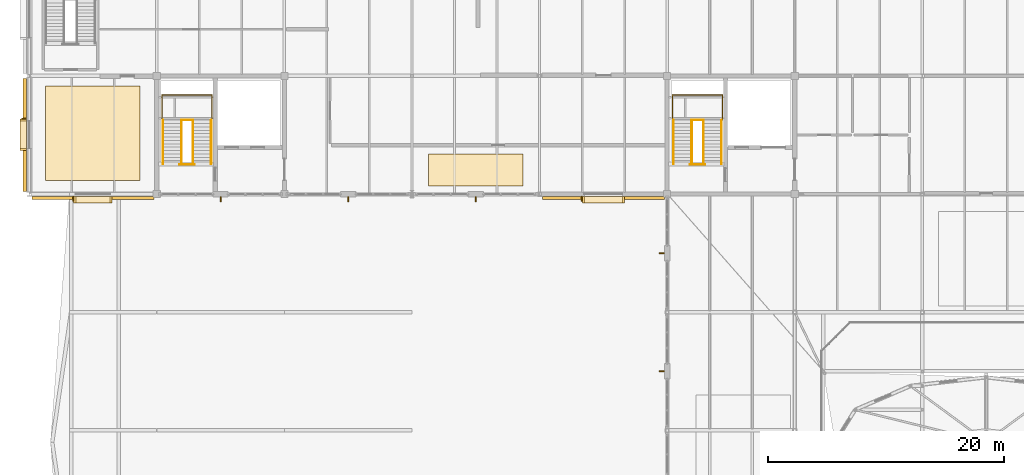
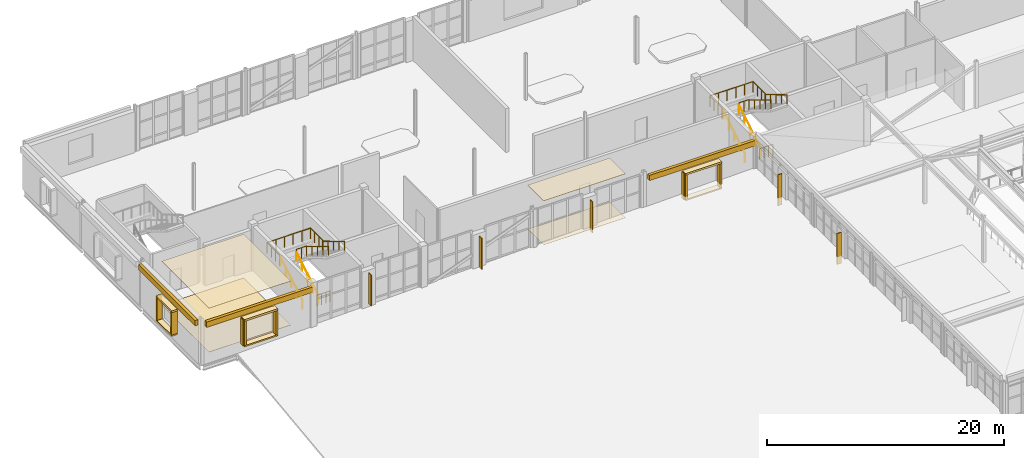
# One storey, part 80 of 86: 19 coverings, 14 railings, 8 shading devices.
"""IFC4 building model written with IfcOpenShell, lengths in metres."""

from ifc_helpers import new_model, si_unit, direction, frame, origin, origin_2d, place, context, subcontext, project, spatial, rectangle, circle, extrude, material, layer, layer_set, type_object, element, save


model = new_model("IFC4")

# Units and contexts
model_context = context("Model", 3, precision=1e-05, world=origin(), true_north=direction((0.0, 1.0)))
body_context = subcontext(model_context, "Body", "Model", "MODEL_VIEW")
ifc_project = project(units=[si_unit("LENGTHUNIT", "METRE"), si_unit("AREAUNIT", "SQUARE_METRE"), si_unit("VOLUMEUNIT", "CUBIC_METRE"), si_unit("PLANEANGLEUNIT", "RADIAN"), si_unit("MASSUNIT", "GRAM", prefix="KILO")], contexts=[model_context])

# Site, building, storey
site_placement = place(None, origin())
site = spatial("IfcSite", under=ifc_project, at=site_placement, CompositionType="ELEMENT")
building_placement = place(site_placement, origin())
building = spatial("IfcBuilding", under=site, at=building_placement, Name="Tasgan Crest Museum", CompositionType="ELEMENT")
storey_placement = place(building_placement, frame((0.0, 0.0, 24.0)))
storey = spatial("IfcBuildingStorey", under=building, at=storey_placement, Name="L04", CompositionType="ELEMENT", Elevation=24.0)

# Coverings
ifc_material_1 = material(Name="Perforated Gypsum Acoustic Ceiling")
ifc_layer_1 = layer(ifc_material_1, 0.034912109375, Name="COV-CEIL-ACOUST")
ifc_layer_set_1 = layer_set([ifc_layer_1], Name="Perforated Gypsum Acoustic Ceiling")
covering_type_1 = type_object("IfcCoveringType", Name="COV-CEIL-ACOUST", PredefinedType="CEILING", material=ifc_layer_set_1)
covering_1_placement = place(storey_placement, frame((5.39990234375, 87.14990234375, 4.52490234375), z_axis=(0.0, 0.0, 1.0), x_axis=(1.0, 0.0, 0.0)))
element("IfcCovering", 1, at=covering_1_placement, inside=storey, type_object=covering_type_1, Name="Khangai Mineralogy Exhibition Gallery acoustic ceiling", PredefinedType="CEILING", context=body_context, shape_type="SweptSolid", body=[
    extrude(rectangle(XDim=8.0, YDim=8.0, at=origin_2d()), origin(), (0.0, 0.0, 1.0), 0.034912109375),
])
covering_2_placement = place(storey_placement, frame((37.800048828125, 84.050048828125, 4.52490234375), z_axis=(0.0, 0.0, 1.0), x_axis=(1.0, 0.0, 0.0)))
element("IfcCovering", 2, at=covering_2_placement, inside=storey, type_object=covering_type_1, Name="Fourth Floor Gallery Spine Corridor acoustic ceiling", PredefinedType="CEILING", context=body_context, shape_type="SweptSolid", body=[
    extrude(rectangle(XDim=8.0, YDim=2.699951171875, at=origin_2d()), origin(), (0.0, 0.0, 1.0), 0.034912109375),
])
ifc_material_2 = material(Name="Engineered Steppe Oak Parquet")
ifc_layer_2 = layer(ifc_material_2, 0.02490234375, Name="COV-FLOOR-OAK")
ifc_layer_set_2 = layer_set([ifc_layer_2], Name="Engineered Steppe Oak Parquet")
covering_type_2 = type_object("IfcCoveringType", Name="COV-FLOOR-OAK", PredefinedType="FLOORING", material=ifc_layer_set_2)
covering_3_placement = place(storey_placement, frame((5.39990234375, 87.14990234375, 0.0), z_axis=(0.0, 0.0, 1.0), x_axis=(1.0, 0.0, 0.0)))
element("IfcCovering", 3, at=covering_3_placement, inside=storey, type_object=covering_type_2, Name="Khangai Mineralogy Exhibition Gallery floor finish", PredefinedType="FLOORING", context=body_context, shape_type="SweptSolid", body=[
    extrude(rectangle(XDim=8.0, YDim=8.0, at=origin_2d()), origin(), (0.0, 0.0, 1.0), 0.02490234375),
])
covering_4_placement = place(storey_placement, frame((37.800048828125, 84.050048828125, 0.0), z_axis=(0.0, 0.0, 1.0), x_axis=(1.0, 0.0, 0.0)))
element("IfcCovering", 4, at=covering_4_placement, inside=storey, type_object=covering_type_2, Name="Fourth Floor Gallery Spine Corridor floor finish", PredefinedType="FLOORING", context=body_context, shape_type="SweptSolid", body=[
    extrude(rectangle(XDim=8.0, YDim=2.699951171875, at=origin_2d()), origin(), (0.0, 0.0, 1.0), 0.02490234375),
])
ifc_material_3 = material(Name="Honed Rose-Red Mongolian Granite", Category="masonry")
ifc_layer_3 = layer(ifc_material_3, 0.0400390625, Name="COV-GRANITE-ROSE")
ifc_layer_set_3 = layer_set([ifc_layer_3], Name="Honed Rose-Red Mongolian Granite")
covering_type_3 = type_object("IfcCoveringType", Name="COV-GRANITE-ROSE", PredefinedType="CLADDING", material=ifc_layer_set_3)
for number, where, z_axis, x_axis, name in (
    (5, (-0.5, 88.259521484375, 1.0), (0.0, 0.0, 1.0), (0.0, -1.0, 0.0), "Deep window reveal jamb L04-065"),
    (6, (-0.5, 85.779541015625, 1.0), (0.0, 0.0, 1.0), (0.0, -1.0, 0.0), "Deep window reveal jamb L04-065"),
):
    element("IfcCovering", number, at=place(storey_placement, frame(where, z_axis=z_axis, x_axis=x_axis)), inside=storey, type_object=covering_type_3, Name=name, PredefinedType="CLADDING", context=body_context, shape_type="SweptSolid", body=[
        extrude(rectangle(XDim=0.179931640625, YDim=0.550048828125, at=origin_2d()), origin(), (0.0, 0.0, 1.0), 2.300048828125),
    ])
for number, where, z_axis, x_axis, name in (
    (7, (3.860107421875, 81.534912109375, 1.0), (0.0, 0.0, 1.0), (1.0, 0.0, 0.0), "Deep window reveal jamb L04-066"),
    (8, (6.93994140625, 81.534912109375, 1.0), (0.0, 0.0, 1.0), (1.0, 0.0, 0.0), "Deep window reveal jamb L04-066"),
    (9, (46.909912109375, 81.534912109375, 1.0), (0.0, 0.0, 1.0), (1.0, 0.0, 0.0), "Deep window reveal jamb L04-067"),
    (10, (50.2900390625, 81.534912109375, 1.0), (0.0, 0.0, 1.0), (1.0, 0.0, 0.0), "Deep window reveal jamb L04-067"),
):
    element("IfcCovering", number, at=place(storey_placement, frame(where, z_axis=z_axis, x_axis=x_axis)), inside=storey, type_object=covering_type_3, Name=name, PredefinedType="CLADDING", context=body_context, shape_type="SweptSolid", body=[
        extrude(rectangle(XDim=0.179931640625, YDim=0.550048828125, at=origin_2d()), origin(), (0.0, 0.0, 1.0), 2.5),
    ])
ifc_material_4 = material(Name="Honed Buff Limestone", Category="masonry")
ifc_layer_4 = layer(ifc_material_4, 0.044921875, Name="COV-LIMESTONE-BUFF")
ifc_layer_set_4 = layer_set([ifc_layer_4], Name="Honed Buff Limestone")
covering_type_4 = type_object("IfcCoveringType", Name="COV-LIMESTONE-BUFF", PredefinedType="CLADDING", material=ifc_layer_set_4)
covering_5_placement = place(storey_placement, frame((-0.364990234375, 87.0, 3.9599609375), z_axis=(0.0, 0.0, 1.0), x_axis=(0.0, -1.0, 0.0)))
element("IfcCovering", 11, at=covering_5_placement, inside=storey, type_object=covering_type_4, Name="Stone frieze cladding L04", PredefinedType="CLADDING", context=body_context, shape_type="SweptSolid", body=[
    extrude(rectangle(XDim=9.549072265625, YDim=0.280029296875, at=origin_2d()), origin(), (0.0, 0.0, 1.0), 0.550048828125),
])
covering_6_placement = place(storey_placement, frame((-0.5, 87.01953125, 3.2998046875), z_axis=(0.0, 0.0, 1.0), x_axis=(0.0, -1.0, 0.0)))
element("IfcCovering", 12, at=covering_6_placement, inside=storey, type_object=covering_type_4, Name="Deep window hood L04-065", PredefinedType="CLADDING", context=body_context, shape_type="SweptSolid", body=[
    extrude(rectangle(XDim=2.659912109375, YDim=0.550048828125, at=origin_2d()), origin(), (0.0, 0.0, 1.0), 0.179931640625),
])
covering_7_placement = place(storey_placement, frame((-0.5, 87.01953125, 0.85986328125), z_axis=(0.0, 0.0, 1.0), x_axis=(0.0, -1.0, 0.0)))
element("IfcCovering", 13, at=covering_7_placement, inside=storey, type_object=covering_type_4, Name="Deep window sill L04-065", PredefinedType="CLADDING", context=body_context, shape_type="SweptSolid", body=[
    extrude(rectangle(XDim=2.659912109375, YDim=0.550048828125, at=origin_2d()), origin(), (0.0, 0.0, 1.0), 0.139892578125),
])
covering_8_placement = place(storey_placement, frame((5.39990234375, 81.669921875, 3.9599609375), z_axis=(0.0, 0.0, 1.0), x_axis=(1.0, 0.0, 0.0)))
element("IfcCovering", 14, at=covering_8_placement, inside=storey, type_object=covering_type_4, Name="Stone frieze cladding L04", PredefinedType="CLADDING", context=body_context, shape_type="SweptSolid", body=[
    extrude(rectangle(XDim=10.31005859375, YDim=0.280029296875, at=origin_2d()), origin(), (0.0, 0.0, 1.0), 0.550048828125),
])
covering_9_placement = place(storey_placement, frame((5.39990234375, 81.534912109375, 3.5), z_axis=(0.0, 0.0, 1.0), x_axis=(1.0, 0.0, 0.0)))
element("IfcCovering", 15, at=covering_9_placement, inside=storey, type_object=covering_type_4, Name="Deep window hood L04-066", PredefinedType="CLADDING", context=body_context, shape_type="SweptSolid", body=[
    extrude(rectangle(XDim=3.260009765625, YDim=0.550048828125, at=origin_2d()), origin(), (0.0, 0.0, 1.0), 0.179931640625),
])
covering_10_placement = place(storey_placement, frame((5.39990234375, 81.534912109375, 0.85986328125), z_axis=(0.0, 0.0, 1.0), x_axis=(1.0, 0.0, 0.0)))
element("IfcCovering", 16, at=covering_10_placement, inside=storey, type_object=covering_type_4, Name="Deep window sill L04-066", PredefinedType="CLADDING", context=body_context, shape_type="SweptSolid", body=[
    extrude(rectangle(XDim=3.260009765625, YDim=0.550048828125, at=origin_2d()), origin(), (0.0, 0.0, 1.0), 0.139892578125),
])
covering_11_placement = place(storey_placement, frame((48.60009765625, 81.669921875, 3.9599609375), z_axis=(0.0, 0.0, 1.0), x_axis=(1.0, 0.0, 0.0)))
element("IfcCovering", 17, at=covering_11_placement, inside=storey, type_object=covering_type_4, Name="Stone frieze cladding L04", PredefinedType="CLADDING", context=body_context, shape_type="SweptSolid", body=[
    extrude(rectangle(XDim=10.31005859375, YDim=0.280029296875, at=origin_2d()), origin(), (0.0, 0.0, 1.0), 0.550048828125),
])
covering_12_placement = place(storey_placement, frame((48.60009765625, 81.534912109375, 3.5), z_axis=(0.0, 0.0, 1.0), x_axis=(1.0, 0.0, 0.0)))
element("IfcCovering", 18, at=covering_12_placement, inside=storey, type_object=covering_type_4, Name="Deep window hood L04-067", PredefinedType="CLADDING", context=body_context, shape_type="SweptSolid", body=[
    extrude(rectangle(XDim=3.56005859375, YDim=0.550048828125, at=origin_2d()), origin(), (0.0, 0.0, 1.0), 0.179931640625),
])
covering_13_placement = place(storey_placement, frame((48.60009765625, 81.534912109375, 0.85986328125), z_axis=(0.0, 0.0, 1.0), x_axis=(1.0, 0.0, 0.0)))
element("IfcCovering", 19, at=covering_13_placement, inside=storey, type_object=covering_type_4, Name="Deep window sill L04-067", PredefinedType="CLADDING", context=body_context, shape_type="SweptSolid", body=[
    extrude(rectangle(XDim=3.56005859375, YDim=0.550048828125, at=origin_2d()), origin(), (0.0, 0.0, 1.0), 0.139892578125),
])

# Railings
ifc_material_5 = material(Name="Brushed Bronze and Toughened Glass", Category="glass")
railing_type_1 = type_object("IfcRailingType", Name="RL-INT-GUARD-1120", PredefinedType="GUARDRAIL", material=ifc_material_5)
railing_1_placement = place(storey_placement, frame((12.739990234375, 84.52001953125, 0.0)))
element("IfcRailing", 20, at=railing_1_placement, inside=storey, type_object=railing_type_1, Name="North-West Gallery Core floor slot guard L04", PredefinedType="GUARDRAIL", context=body_context, shape_type="SweptSolid", body=[
    extrude(circle(Radius=0.02392578125, at=origin_2d()), frame((0.0, 0.0, 1.09619140625), z_axis=(1.0, 0.0, 0.0), x_axis=(0.0, 1.0, 0.0)), (0.0, 0.0, 1.0), 1.27001953125),
    extrude(circle(Radius=0.02099609375, at=origin_2d()), origin(), (0.0, 0.0, 1.0), 1.072021484375),
    extrude(circle(Radius=0.02099609375, at=origin_2d()), frame((0.42333984375, 0.0, 0.0)), (0.0, 0.0, 1.0), 1.072021484375),
    extrude(circle(Radius=0.02099609375, at=origin_2d()), frame((0.8466796875, 0.0, 0.0)), (0.0, 0.0, 1.0), 1.072021484375),
    extrude(circle(Radius=0.02099609375, at=origin_2d()), frame((1.27001953125, 0.0, 0.0)), (0.0, 0.0, 1.0), 1.072021484375),
])
railing_2_placement = place(storey_placement, frame((12.8798828125, 88.27490234375, 2.39990234375)))
element("IfcRailing", 21, at=railing_2_placement, inside=storey, type_object=railing_type_1, Name="Stair half-landing well guard ST-NW-L04 T1", PredefinedType="GUARDRAIL", context=body_context, shape_type="SweptSolid", body=[
    extrude(circle(Radius=0.02392578125, at=origin_2d()), frame((0.0, 0.0, 1.09619140625), z_axis=(1.0, 0.0, 0.0), x_axis=(0.0, 1.0, 0.0)), (0.0, 0.0, 1.0), 0.990234375),
    extrude(circle(Radius=0.02099609375, at=origin_2d()), origin(), (0.0, 0.0, 1.0), 1.072021484375),
    extrude(circle(Radius=0.02099609375, at=origin_2d()), frame((0.4951171875, 0.0, 0.0)), (0.0, 0.0, 1.0), 1.072021484375),
    extrude(circle(Radius=0.02099609375, at=origin_2d()), frame((0.990234375, 0.0, 0.0)), (0.0, 0.0, 1.0), 1.072021484375),
])
railing_3_placement = place(storey_placement, frame((11.260009765625, 88.294921875, 2.39990234375)))
element("IfcRailing", 22, at=railing_3_placement, inside=storey, type_object=railing_type_1, Name="Stair half-landing perimeter guard ST-NW-L04 T1", PredefinedType="GUARDRAIL", context=body_context, shape_type="SweptSolid", body=[
    extrude(circle(Radius=0.02392578125, at=origin_2d()), frame((0.0, 0.0, 1.09619140625), z_axis=(0.0, 1.0, 0.0), x_axis=(-1.0, 0.0, 0.0)), (0.0, 0.0, 1.0), 2.10009765625),
    extrude(circle(Radius=0.02392578125, at=origin_2d()), frame((0.0, 2.10009765625, 1.09619140625), z_axis=(1.0, 0.0, 0.0), x_axis=(0.0, 1.0, 0.0)), (0.0, 0.0, 1.0), 4.22998046875),
    extrude(circle(Radius=0.02392578125, at=origin_2d()), frame((4.22998046875, 2.10009765625, 1.09619140625), z_axis=(0.0, -1.0, 0.0), x_axis=(1.0, 0.0, 0.0)), (0.0, 0.0, 1.0), 2.10009765625),
    extrude(circle(Radius=0.02099609375, at=origin_2d()), origin(), (0.0, 0.0, 1.0), 1.072021484375),
    extrude(circle(Radius=0.02099609375, at=origin_2d()), frame((0.0, 0.699951171875, 0.0)), (0.0, 0.0, 1.0), 1.072021484375),
    extrude(circle(Radius=0.02099609375, at=origin_2d()), frame((0.0, 1.400146484375, 0.0)), (0.0, 0.0, 1.0), 1.072021484375),
    extrude(circle(Radius=0.02099609375, at=origin_2d()), frame((0.0, 2.10009765625, 0.0)), (0.0, 0.0, 1.0), 1.072021484375),
    extrude(circle(Radius=0.02099609375, at=origin_2d()), frame((0.845947265625, 2.10009765625, 0.0)), (0.0, 0.0, 1.0), 1.072021484375),
    extrude(circle(Radius=0.02099609375, at=origin_2d()), frame((1.69189453125, 2.10009765625, 0.0)), (0.0, 0.0, 1.0), 1.072021484375),
    extrude(circle(Radius=0.02099609375, at=origin_2d()), frame((2.5380859375, 2.10009765625, 0.0)), (0.0, 0.0, 1.0), 1.072021484375),
    extrude(circle(Radius=0.02099609375, at=origin_2d()), frame((3.384033203125, 2.10009765625, 0.0)), (0.0, 0.0, 1.0), 1.072021484375),
    extrude(circle(Radius=0.02099609375, at=origin_2d()), frame((4.22998046875, 2.10009765625, 0.0)), (0.0, 0.0, 1.0), 1.072021484375),
    extrude(circle(Radius=0.02099609375, at=origin_2d()), frame((4.22998046875, 1.400146484375, 0.0)), (0.0, 0.0, 1.0), 1.072021484375),
    extrude(circle(Radius=0.02099609375, at=origin_2d()), frame((4.22998046875, 0.699951171875, 0.0)), (0.0, 0.0, 1.0), 1.072021484375),
    extrude(circle(Radius=0.02099609375, at=origin_2d()), frame((4.22998046875, 0.0, 0.0)), (0.0, 0.0, 1.0), 1.072021484375),
])
railing_4_placement = place(storey_placement, frame((55.93994140625, 84.52001953125, 0.0)))
element("IfcRailing", 23, at=railing_4_placement, inside=storey, type_object=railing_type_1, Name="North-Central Sawtooth Core floor slot guard L04", PredefinedType="GUARDRAIL", context=body_context, shape_type="SweptSolid", body=[
    extrude(circle(Radius=0.02392578125, at=origin_2d()), frame((0.0, 0.0, 1.09619140625), z_axis=(1.0, 0.0, 0.0), x_axis=(0.0, 1.0, 0.0)), (0.0, 0.0, 1.0), 1.27001953125),
    extrude(circle(Radius=0.02099609375, at=origin_2d()), origin(), (0.0, 0.0, 1.0), 1.072021484375),
    extrude(circle(Radius=0.02099609375, at=origin_2d()), frame((0.42333984375, 0.0, 0.0)), (0.0, 0.0, 1.0), 1.072021484375),
    extrude(circle(Radius=0.02099609375, at=origin_2d()), frame((0.8466796875, 0.0, 0.0)), (0.0, 0.0, 1.0), 1.072021484375),
    extrude(circle(Radius=0.02099609375, at=origin_2d()), frame((1.27001953125, 0.0, 0.0)), (0.0, 0.0, 1.0), 1.072021484375),
])
railing_5_placement = place(storey_placement, frame((56.080078125, 88.27490234375, 2.39990234375)))
element("IfcRailing", 24, at=railing_5_placement, inside=storey, type_object=railing_type_1, Name="Stair half-landing well guard ST-NC-L04 T1", PredefinedType="GUARDRAIL", context=body_context, shape_type="SweptSolid", body=[
    extrude(circle(Radius=0.02392578125, at=origin_2d()), frame((0.0, 0.0, 1.09619140625), z_axis=(1.0, 0.0, 0.0), x_axis=(0.0, 1.0, 0.0)), (0.0, 0.0, 1.0), 0.989990234375),
    extrude(circle(Radius=0.02099609375, at=origin_2d()), origin(), (0.0, 0.0, 1.0), 1.072021484375),
    extrude(circle(Radius=0.02099609375, at=origin_2d()), frame((0.4951171875, 0.0, 0.0)), (0.0, 0.0, 1.0), 1.072021484375),
    extrude(circle(Radius=0.02099609375, at=origin_2d()), frame((0.989990234375, 0.0, 0.0)), (0.0, 0.0, 1.0), 1.072021484375),
])
railing_6_placement = place(storey_placement, frame((54.4599609375, 88.294921875, 2.39990234375)))
element("IfcRailing", 25, at=railing_6_placement, inside=storey, type_object=railing_type_1, Name="Stair half-landing perimeter guard ST-NC-L04 T1", PredefinedType="GUARDRAIL", context=body_context, shape_type="SweptSolid", body=[
    extrude(circle(Radius=0.02392578125, at=origin_2d()), frame((0.0, 0.0, 1.09619140625), z_axis=(0.0, 1.0, 0.0), x_axis=(-1.0, 0.0, 0.0)), (0.0, 0.0, 1.0), 2.10009765625),
    extrude(circle(Radius=0.02392578125, at=origin_2d()), frame((0.0, 2.10009765625, 1.09619140625), z_axis=(1.0, 0.0, 0.0), x_axis=(0.0, 1.0, 0.0)), (0.0, 0.0, 1.0), 4.22998046875),
    extrude(circle(Radius=0.02392578125, at=origin_2d()), frame((4.22998046875, 2.10009765625, 1.09619140625), z_axis=(0.0, -1.0, 0.0), x_axis=(1.0, 0.0, 0.0)), (0.0, 0.0, 1.0), 2.10009765625),
    extrude(circle(Radius=0.02099609375, at=origin_2d()), origin(), (0.0, 0.0, 1.0), 1.072021484375),
    extrude(circle(Radius=0.02099609375, at=origin_2d()), frame((0.0, 0.699951171875, 0.0)), (0.0, 0.0, 1.0), 1.072021484375),
    extrude(circle(Radius=0.02099609375, at=origin_2d()), frame((0.0, 1.400146484375, 0.0)), (0.0, 0.0, 1.0), 1.072021484375),
    extrude(circle(Radius=0.02099609375, at=origin_2d()), frame((0.0, 2.10009765625, 0.0)), (0.0, 0.0, 1.0), 1.072021484375),
    extrude(circle(Radius=0.02099609375, at=origin_2d()), frame((0.845947265625, 2.10009765625, 0.0)), (0.0, 0.0, 1.0), 1.072021484375),
    extrude(circle(Radius=0.02099609375, at=origin_2d()), frame((1.69189453125, 2.10009765625, 0.0)), (0.0, 0.0, 1.0), 1.072021484375),
    extrude(circle(Radius=0.02099609375, at=origin_2d()), frame((2.5380859375, 2.10009765625, 0.0)), (0.0, 0.0, 1.0), 1.072021484375),
    extrude(circle(Radius=0.02099609375, at=origin_2d()), frame((3.384033203125, 2.10009765625, 0.0)), (0.0, 0.0, 1.0), 1.072021484375),
    extrude(circle(Radius=0.02099609375, at=origin_2d()), frame((4.22998046875, 2.10009765625, 0.0)), (0.0, 0.0, 1.0), 1.072021484375),
    extrude(circle(Radius=0.02099609375, at=origin_2d()), frame((4.22998046875, 1.400146484375, 0.0)), (0.0, 0.0, 1.0), 1.072021484375),
    extrude(circle(Radius=0.02099609375, at=origin_2d()), frame((4.22998046875, 0.699951171875, 0.0)), (0.0, 0.0, 1.0), 1.072021484375),
    extrude(circle(Radius=0.02099609375, at=origin_2d()), frame((4.22998046875, 0.0, 0.0)), (0.0, 0.0, 1.0), 1.072021484375),
])
ifc_material_6 = material(Name="Brushed Stainless Steel", Category="steel")
railing_type_2 = type_object("IfcRailingType", Name="RL-STAIR-HAND-920", PredefinedType="HANDRAIL", material=ifc_material_6)
for number, where, name in (
    (26, (11.340087890625, 84.550048828125, 0.17138671875), "Stair handrail STAIR-CORE-NW-L04-F1 L"),
    (27, (12.8798828125, 84.550048828125, 0.17138671875), "Stair handrail STAIR-CORE-NW-L04-F1 R"),
):
    element("IfcRailing", number, at=place(storey_placement, frame(where)), inside=storey, type_object=railing_type_2, Name=name, PredefinedType="HANDRAIL", context=body_context, shape_type="SweptSolid", body=[
        extrude(circle(Radius=0.02392578125, at=origin_2d()), frame((0.0, 0.0, 0.89599609375), z_axis=(0.0, 0.856919398105, 0.515450429384), x_axis=(-1.0, 0.0, 0.0)), (0.0, 0.0, 1.0), 4.323486328125),
        extrude(circle(Radius=0.02099609375, at=origin_2d()), origin(), (0.0, 0.0, 1.0), 0.871826171875),
        extrude(circle(Radius=0.02099609375, at=origin_2d()), frame((0.0, 0.92626953125, 0.55712890625)), (0.0, 0.0, 1.0), 0.871826171875),
        extrude(circle(Radius=0.02099609375, at=origin_2d()), frame((0.0, 1.8525390625, 1.1142578125)), (0.0, 0.0, 1.0), 0.871826171875),
        extrude(circle(Radius=0.02099609375, at=origin_2d()), frame((0.0, 2.778564453125, 1.67138671875)), (0.0, 0.0, 1.0), 0.871826171875),
        extrude(circle(Radius=0.02099609375, at=origin_2d()), frame((0.0, 3.704833984375, 2.228515625)), (0.0, 0.0, 1.0), 0.871826171875),
    ])
for number, where, name in (
    (28, (15.409912109375, 88.2548828125, 2.5712890625), "Stair handrail STAIR-CORE-NW-L04-F2 L"),
    (29, (13.8701171875, 88.2548828125, 2.5712890625), "Stair handrail STAIR-CORE-NW-L04-F2 R"),
):
    element("IfcRailing", number, at=place(storey_placement, frame(where)), inside=storey, type_object=railing_type_2, Name=name, PredefinedType="HANDRAIL", context=body_context, shape_type="SweptSolid", body=[
        extrude(circle(Radius=0.02392578125, at=origin_2d()), frame((0.0, 0.0, 0.89599609375), z_axis=(0.0, -0.856894455432, 0.515491893485), x_axis=(1.0, 0.0, 0.0)), (0.0, 0.0, 1.0), 4.323486328125),
        extrude(circle(Radius=0.02099609375, at=origin_2d()), origin(), (0.0, 0.0, 1.0), 0.871826171875),
        extrude(circle(Radius=0.02099609375, at=origin_2d()), frame((0.0, -0.92626953125, 0.55712890625)), (0.0, 0.0, 1.0), 0.871826171875),
        extrude(circle(Radius=0.02099609375, at=origin_2d()), frame((0.0, -1.8525390625, 1.1142578125)), (0.0, 0.0, 1.0), 0.871826171875),
        extrude(circle(Radius=0.02099609375, at=origin_2d()), frame((0.0, -2.778564453125, 1.671630859375)), (0.0, 0.0, 1.0), 0.871826171875),
        extrude(circle(Radius=0.02099609375, at=origin_2d()), frame((0.0, -3.704833984375, 2.228759765625)), (0.0, 0.0, 1.0), 0.871826171875),
    ])
for number, where, name in (
    (30, (54.5400390625, 84.550048828125, 0.17138671875), "Stair handrail STAIR-CORE-NC-L04-F1 L"),
    (31, (56.080078125, 84.550048828125, 0.17138671875), "Stair handrail STAIR-CORE-NC-L04-F1 R"),
):
    element("IfcRailing", number, at=place(storey_placement, frame(where)), inside=storey, type_object=railing_type_2, Name=name, PredefinedType="HANDRAIL", context=body_context, shape_type="SweptSolid", body=[
        extrude(circle(Radius=0.02392578125, at=origin_2d()), frame((0.0, 0.0, 0.89599609375), z_axis=(0.0, 0.856919398105, 0.515450429384), x_axis=(-1.0, 0.0, 0.0)), (0.0, 0.0, 1.0), 4.323486328125),
        extrude(circle(Radius=0.02099609375, at=origin_2d()), origin(), (0.0, 0.0, 1.0), 0.871826171875),
        extrude(circle(Radius=0.02099609375, at=origin_2d()), frame((0.0, 0.92626953125, 0.55712890625)), (0.0, 0.0, 1.0), 0.871826171875),
        extrude(circle(Radius=0.02099609375, at=origin_2d()), frame((0.0, 1.8525390625, 1.1142578125)), (0.0, 0.0, 1.0), 0.871826171875),
        extrude(circle(Radius=0.02099609375, at=origin_2d()), frame((0.0, 2.778564453125, 1.67138671875)), (0.0, 0.0, 1.0), 0.871826171875),
        extrude(circle(Radius=0.02099609375, at=origin_2d()), frame((0.0, 3.704833984375, 2.228515625)), (0.0, 0.0, 1.0), 0.871826171875),
    ])
for number, where, name in (
    (32, (58.610107421875, 88.2548828125, 2.5712890625), "Stair handrail STAIR-CORE-NC-L04-F2 L"),
    (33, (57.070068359375, 88.2548828125, 2.5712890625), "Stair handrail STAIR-CORE-NC-L04-F2 R"),
):
    element("IfcRailing", number, at=place(storey_placement, frame(where)), inside=storey, type_object=railing_type_2, Name=name, PredefinedType="HANDRAIL", context=body_context, shape_type="SweptSolid", body=[
        extrude(circle(Radius=0.02392578125, at=origin_2d()), frame((0.0, 0.0, 0.89599609375), z_axis=(0.0, -0.856894455432, 0.515491893485), x_axis=(1.0, 0.0, 0.0)), (0.0, 0.0, 1.0), 4.323486328125),
        extrude(circle(Radius=0.02099609375, at=origin_2d()), origin(), (0.0, 0.0, 1.0), 0.871826171875),
        extrude(circle(Radius=0.02099609375, at=origin_2d()), frame((0.0, -0.92626953125, 0.55712890625)), (0.0, 0.0, 1.0), 0.871826171875),
        extrude(circle(Radius=0.02099609375, at=origin_2d()), frame((0.0, -1.8525390625, 1.1142578125)), (0.0, 0.0, 1.0), 0.871826171875),
        extrude(circle(Radius=0.02099609375, at=origin_2d()), frame((0.0, -2.778564453125, 1.671630859375)), (0.0, 0.0, 1.0), 0.871826171875),
        extrude(circle(Radius=0.02099609375, at=origin_2d()), frame((0.0, -3.704833984375, 2.228759765625)), (0.0, 0.0, 1.0), 0.871826171875),
    ])

# Shading devices
ifc_material_7 = material(Name="Anodised Bronze Aluminium", Category="aluminium")
shading_device_type = type_object("IfcShadingDeviceType", Name="SH-FIN-V400", PredefinedType="JALOUSIE", material=ifc_material_7)
shading_device_1_placement = place(storey_placement, frame((-0.43505859375, 88.389404296875, 0.89990234375), z_axis=(0.0, 0.0, 1.0), x_axis=(0.0, -1.0, 0.0)))
element("IfcShadingDevice", 34, at=shading_device_1_placement, inside=storey, type_object=shading_device_type, Name="Solar shading fin L04-065", PredefinedType="JALOUSIE", context=body_context, shape_type="SweptSolid", body=[
    extrude(rectangle(XDim=0.080078125, YDim=0.419921875, at=origin_2d()), origin(), (0.0, 0.0, 1.0), 2.5),
])
shading_device_2_placement = place(storey_placement, frame((3.72998046875, 81.60009765625, 0.89990234375), z_axis=(0.0, 0.0, 1.0), x_axis=(1.0, 0.0, 0.0)))
element("IfcShadingDevice", 35, at=shading_device_2_placement, inside=storey, type_object=shading_device_type, Name="Solar shading fin L04-066", PredefinedType="JALOUSIE", context=body_context, shape_type="SweptSolid", body=[
    extrude(rectangle(XDim=0.080078125, YDim=0.419921875, at=origin_2d()), origin(), (0.0, 0.0, 1.0), 2.699951171875),
])
for number, where, z_axis, x_axis, name in (
    (36, (16.199951171875, 81.550048828125, 0.68017578125), (0.0, 0.0, 1.0), (1.0, 0.0, 0.0), "Facade pier solar fin L04"),
    (37, (27.0, 81.550048828125, 0.68017578125), (0.0, 0.0, 1.0), (1.0, 0.0, 0.0), "Facade pier solar fin L04"),
    (38, (37.800048828125, 81.550048828125, 0.68017578125), (0.0, 0.0, 1.0), (1.0, 0.0, 0.0), "Facade pier solar fin L04"),
):
    element("IfcShadingDevice", number, at=place(storey_placement, frame(where, z_axis=z_axis, x_axis=x_axis)), inside=storey, type_object=shading_device_type, Name=name, PredefinedType="JALOUSIE", context=body_context, shape_type="SweptSolid", body=[
        extrude(rectangle(XDim=0.080078125, YDim=0.419921875, at=origin_2d()), origin(), (0.0, 0.0, 1.0), 3.199951171875),
    ])
shading_device_3_placement = place(storey_placement, frame((46.780029296875, 81.60009765625, 0.89990234375), z_axis=(0.0, 0.0, 1.0), x_axis=(1.0, 0.0, 0.0)))
element("IfcShadingDevice", 39, at=shading_device_3_placement, inside=storey, type_object=shading_device_type, Name="Solar shading fin L04-067", PredefinedType="JALOUSIE", context=body_context, shape_type="SweptSolid", body=[
    extrude(rectangle(XDim=0.080078125, YDim=0.419921875, at=origin_2d()), origin(), (0.0, 0.0, 1.0), 2.699951171875),
])
for number, where, z_axis, x_axis, name in (
    (40, (53.550048828125, 77.0, 0.68017578125), (0.0, 0.0, 1.0), (0.0, -1.0, 0.0), "Facade pier solar fin L04"),
    (41, (53.550048828125, 67.0, 0.68017578125), (0.0, 0.0, 1.0), (0.0, -1.0, 0.0), "Facade pier solar fin L04"),
):
    element("IfcShadingDevice", number, at=place(storey_placement, frame(where, z_axis=z_axis, x_axis=x_axis)), inside=storey, type_object=shading_device_type, Name=name, PredefinedType="JALOUSIE", context=body_context, shape_type="SweptSolid", body=[
        extrude(rectangle(XDim=0.080078125, YDim=0.419921875, at=origin_2d()), origin(), (0.0, 0.0, 1.0), 3.199951171875),
    ])

save(model, "model.ifc")
